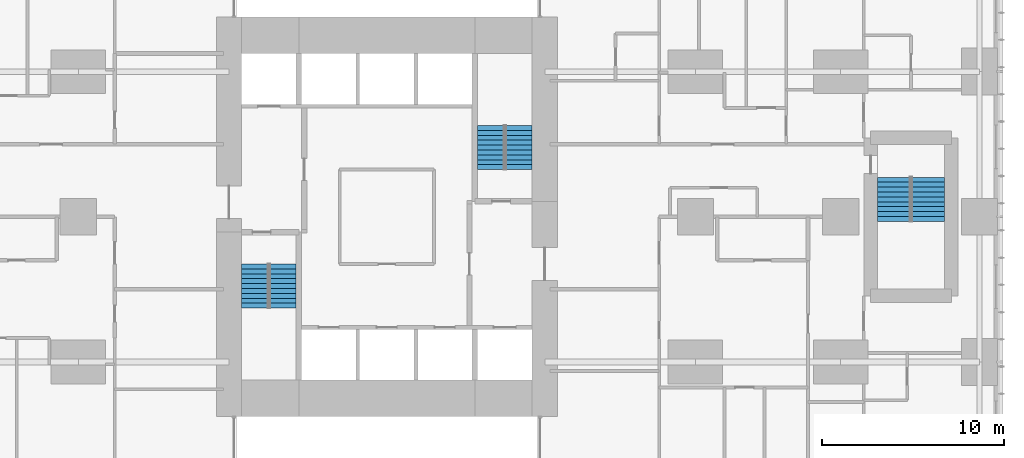
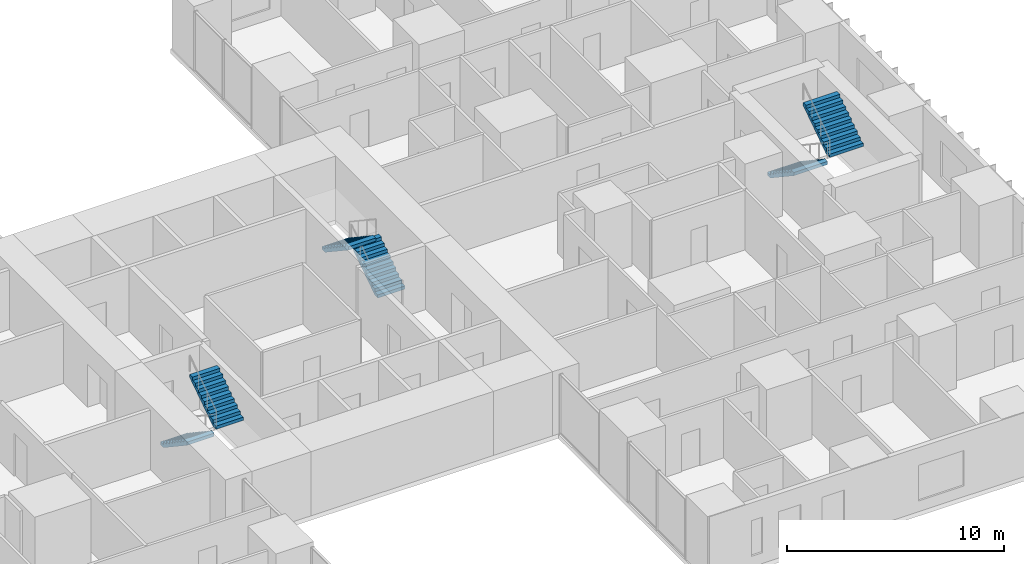
# One storey, part 19 of 20: 6 stair flights, 3 elements without a shape of their own.
"""IFC4 building model written with IfcOpenShell, lengths in metres."""

from ifc_helpers import new_model, si_unit, direction, frame, origin, place, context, subcontext, project, spatial, polyline, outline, extrude, material, type_object, element, aggregate, save


model = new_model("IFC4")

# Units and contexts
model_context = context("Model", 3, precision=1e-05, world=origin(), true_north=direction((0.0, 1.0)))
body_context = subcontext(model_context, "Body", "Model", "MODEL_VIEW")
ifc_project = project(units=[si_unit("LENGTHUNIT", "METRE"), si_unit("AREAUNIT", "SQUARE_METRE"), si_unit("VOLUMEUNIT", "CUBIC_METRE"), si_unit("PLANEANGLEUNIT", "RADIAN"), si_unit("MASSUNIT", "GRAM", prefix="KILO")], contexts=[model_context])

# Site, building, storey
site_placement = place(None, origin())
site = spatial("IfcSite", under=ifc_project, at=site_placement, CompositionType="ELEMENT")
building_placement = place(site_placement, origin())
building = spatial("IfcBuilding", under=site, at=building_placement, Name="Cleftline Residences", CompositionType="ELEMENT")
storey_placement = place(building_placement, frame((0.0, 0.0, 33.199951171875)))
storey = spatial("IfcBuildingStorey", under=building, at=storey_placement, Name="L07", CompositionType="ELEMENT", Elevation=33.199951171875)

# Stair, stair flights
ifc_material_1 = material(Name="Concrete B45, stone treads", Category="masonry")
stair_type_1 = type_object("IfcStairType", Name="STAIR A 1450 WIDE 180 RISER", PredefinedType="HALF_TURN_STAIR", material=ifc_material_1)
stair_1_placement = place(storey_placement, origin())
stair_1 = element("IfcStair", 1, at=stair_1_placement, inside=storey, type_object=stair_type_1, Name="Stair A L07", PredefinedType="HALF_TURN_STAIR")
ifc_material_2 = material(Name="Concrete B45", Category="concrete")
stair_flight_type_1 = type_object("IfcStairFlightType", Name="STAIR A FLIGHT 1450X180", PredefinedType="STRAIGHT", material=ifc_material_2)
stair_flight_1_placement = place(storey_placement, frame((25.72509765625, 21.39990234375, 0.0), z_axis=(0.0, 0.0, 1.0), x_axis=(0.0, -1.0, 0.0)))
stair_flight_1 = element("IfcStairFlight", 2, at=stair_flight_1_placement, type_object=stair_flight_type_1, Name="ST-A flight 1", NumberOfRisers=10, NumberOfTreads=9, PredefinedType="STRAIGHT", RiserHeight=0.18, TreadLength=0.27, context=body_context, shape_type="SweptSolid", body=[
    extrude(outline(polyline([(0.0, 0.0), (0.0, 0.013916015625), (0.0, 0.027587890625), (0.0, 0.04150390625), (0.0, 0.055419921875), (0.0, 0.0693359375), (0.0, 0.0830078125), (0.0, 0.096923828125), (0.0, 0.11083984375), (0.0, 0.12451171875), (0.0, 0.138427734375), (0.0, 0.15234375), (0.0, 0.166259765625), (0.0, 0.179931640625), (0.27001953125, 0.179931640625), (0.27001953125, 0.360107421875), (0.5400390625, 0.360107421875), (0.5400390625, 0.5400390625), (0.81005859375, 0.5400390625), (0.81005859375, 0.719970703125), (1.080078125, 0.719970703125), (1.080078125, 0.89990234375), (1.35009765625, 0.89990234375), (1.35009765625, 1.080078125), (1.6201171875, 1.080078125), (1.6201171875, 1.260009765625), (1.889892578125, 1.260009765625), (1.889892578125, 1.43994140625), (2.159912109375, 1.43994140625), (2.159912109375, 1.6201171875), (2.429931640625, 1.6201171875), (2.429931640625, 1.800048828125), (2.429931640625, 1.772216796875), (2.429931640625, 1.74462890625), (2.429931640625, 1.716796875), (2.429931640625, 1.689208984375), (2.429931640625, 1.661376953125), (2.429931640625, 1.6337890625), (2.429931640625, 1.60595703125), (2.429931640625, 1.578369140625), (2.429931640625, 1.550537109375), (2.429931640625, 1.52294921875), (2.429931640625, 1.495361328125), (2.429931640625, 1.467529296875), (2.429931640625, 1.43994140625), (0.270263671875, 0.0), (0.0, 0.0)])), frame((0.0, 0.72509765625, 0.0), z_axis=(0.0, -1.0, 0.0), x_axis=(1.0, 0.0, 0.0)), (0.0, 0.0, 1.0), 1.449951171875),
])
stair_flight_2_placement = place(storey_placement, frame((27.27490234375, 18.969970703125, 1.800048828125), z_axis=(0.0, 0.0, 1.0), x_axis=(0.0, 1.0, 0.0)))
stair_flight_2 = element("IfcStairFlight", 3, at=stair_flight_2_placement, type_object=stair_flight_type_1, Name="ST-A flight 2", NumberOfRisers=10, NumberOfTreads=9, PredefinedType="STRAIGHT", RiserHeight=0.18, TreadLength=0.27, context=body_context, shape_type="SweptSolid", body=[
    extrude(outline(polyline([(0.0, 0.0), (0.0, 0.013916015625), (0.0, 0.027587890625), (0.0, 0.04150390625), (0.0, 0.055419921875), (0.0, 0.0693359375), (0.0, 0.0830078125), (0.0, 0.096923828125), (0.0, 0.11083984375), (0.0, 0.12451171875), (0.0, 0.138427734375), (0.0, 0.15234375), (0.0, 0.166259765625), (0.0, 0.179931640625), (0.27001953125, 0.179931640625), (0.27001953125, 0.360107421875), (0.5400390625, 0.360107421875), (0.5400390625, 0.5400390625), (0.81005859375, 0.5400390625), (0.81005859375, 0.719970703125), (1.080078125, 0.719970703125), (1.080078125, 0.89990234375), (1.35009765625, 0.89990234375), (1.35009765625, 1.080078125), (1.6201171875, 1.080078125), (1.6201171875, 1.260009765625), (1.889892578125, 1.260009765625), (1.889892578125, 1.43994140625), (2.159912109375, 1.43994140625), (2.159912109375, 1.6201171875), (2.429931640625, 1.6201171875), (2.429931640625, 1.800048828125), (2.429931640625, 1.772216796875), (2.429931640625, 1.74462890625), (2.429931640625, 1.716796875), (2.429931640625, 1.689208984375), (2.429931640625, 1.661376953125), (2.429931640625, 1.6337890625), (2.429931640625, 1.60595703125), (2.429931640625, 1.578369140625), (2.429931640625, 1.550537109375), (2.429931640625, 1.52294921875), (2.429931640625, 1.495361328125), (2.429931640625, 1.467529296875), (2.429931640625, 1.43994140625), (0.270263671875, 0.0), (0.0, 0.0)])), frame((0.0, 0.72509765625, 0.0), z_axis=(0.0, -1.0, 0.0), x_axis=(1.0, 0.0, 0.0)), (0.0, 0.0, 1.0), 1.449951171875),
])
aggregate(stair_1, [stair_flight_1, stair_flight_2])

ifc_material_3 = material(Name="Concrete B45, stone treads", Category="masonry")
stair_type_2 = type_object("IfcStairType", Name="STAIR B 1450 WIDE 180 RISER", PredefinedType="HALF_TURN_STAIR", material=ifc_material_3)
stair_2_placement = place(storey_placement, origin())
stair_2 = element("IfcStair", 4, at=stair_2_placement, inside=storey, type_object=stair_type_2, Name="Stair B L07", PredefinedType="HALF_TURN_STAIR")
ifc_material_4 = material(Name="Concrete B45", Category="concrete")
stair_flight_type_2 = type_object("IfcStairFlightType", Name="STAIR B FLIGHT 1450X180", PredefinedType="STRAIGHT", material=ifc_material_4)
stair_flight_3_placement = place(storey_placement, frame((40.27490234375, 26.60009765625, 0.0), z_axis=(0.0, 0.0, 1.0), x_axis=(0.0, 1.0, 0.0)))
stair_flight_3 = element("IfcStairFlight", 5, at=stair_flight_3_placement, type_object=stair_flight_type_2, Name="ST-B flight 1", NumberOfRisers=10, NumberOfTreads=9, PredefinedType="STRAIGHT", RiserHeight=0.18, TreadLength=0.27, context=body_context, shape_type="SweptSolid", body=[
    extrude(outline(polyline([(0.0, 0.0), (0.0, 0.013916015625), (0.0, 0.027587890625), (0.0, 0.04150390625), (0.0, 0.055419921875), (0.0, 0.0693359375), (0.0, 0.0830078125), (0.0, 0.096923828125), (0.0, 0.11083984375), (0.0, 0.12451171875), (0.0, 0.138427734375), (0.0, 0.15234375), (0.0, 0.166259765625), (0.0, 0.179931640625), (0.27001953125, 0.179931640625), (0.27001953125, 0.360107421875), (0.5400390625, 0.360107421875), (0.5400390625, 0.5400390625), (0.81005859375, 0.5400390625), (0.81005859375, 0.719970703125), (1.080078125, 0.719970703125), (1.080078125, 0.89990234375), (1.35009765625, 0.89990234375), (1.35009765625, 1.080078125), (1.6201171875, 1.080078125), (1.6201171875, 1.260009765625), (1.889892578125, 1.260009765625), (1.889892578125, 1.43994140625), (2.159912109375, 1.43994140625), (2.159912109375, 1.6201171875), (2.429931640625, 1.6201171875), (2.429931640625, 1.800048828125), (2.429931640625, 1.772216796875), (2.429931640625, 1.74462890625), (2.429931640625, 1.716796875), (2.429931640625, 1.689208984375), (2.429931640625, 1.661376953125), (2.429931640625, 1.6337890625), (2.429931640625, 1.60595703125), (2.429931640625, 1.578369140625), (2.429931640625, 1.550537109375), (2.429931640625, 1.52294921875), (2.429931640625, 1.495361328125), (2.429931640625, 1.467529296875), (2.429931640625, 1.43994140625), (0.270263671875, 0.0), (0.0, 0.0)])), frame((0.0, 0.72509765625, 0.0), z_axis=(0.0, -1.0, 0.0), x_axis=(1.0, 0.0, 0.0)), (0.0, 0.0, 1.0), 1.449951171875),
])
stair_flight_4_placement = place(storey_placement, frame((38.72509765625, 29.030029296875, 1.800048828125), z_axis=(0.0, 0.0, 1.0), x_axis=(0.0, -1.0, 0.0)))
stair_flight_4 = element("IfcStairFlight", 6, at=stair_flight_4_placement, type_object=stair_flight_type_2, Name="ST-B flight 2", NumberOfRisers=10, NumberOfTreads=9, PredefinedType="STRAIGHT", RiserHeight=0.18, TreadLength=0.27, context=body_context, shape_type="SweptSolid", body=[
    extrude(outline(polyline([(0.0, 0.0), (0.0, 0.013916015625), (0.0, 0.027587890625), (0.0, 0.04150390625), (0.0, 0.055419921875), (0.0, 0.0693359375), (0.0, 0.0830078125), (0.0, 0.096923828125), (0.0, 0.11083984375), (0.0, 0.12451171875), (0.0, 0.138427734375), (0.0, 0.15234375), (0.0, 0.166259765625), (0.0, 0.179931640625), (0.27001953125, 0.179931640625), (0.27001953125, 0.360107421875), (0.5400390625, 0.360107421875), (0.5400390625, 0.5400390625), (0.81005859375, 0.5400390625), (0.81005859375, 0.719970703125), (1.080078125, 0.719970703125), (1.080078125, 0.89990234375), (1.35009765625, 0.89990234375), (1.35009765625, 1.080078125), (1.6201171875, 1.080078125), (1.6201171875, 1.260009765625), (1.889892578125, 1.260009765625), (1.889892578125, 1.43994140625), (2.159912109375, 1.43994140625), (2.159912109375, 1.6201171875), (2.429931640625, 1.6201171875), (2.429931640625, 1.800048828125), (2.429931640625, 1.772216796875), (2.429931640625, 1.74462890625), (2.429931640625, 1.716796875), (2.429931640625, 1.689208984375), (2.429931640625, 1.661376953125), (2.429931640625, 1.6337890625), (2.429931640625, 1.60595703125), (2.429931640625, 1.578369140625), (2.429931640625, 1.550537109375), (2.429931640625, 1.52294921875), (2.429931640625, 1.495361328125), (2.429931640625, 1.467529296875), (2.429931640625, 1.43994140625), (0.270263671875, 0.0), (0.0, 0.0)])), frame((0.0, 0.72509765625, 0.0), z_axis=(0.0, -1.0, 0.0), x_axis=(1.0, 0.0, 0.0)), (0.0, 0.0, 1.0), 1.449951171875),
])
aggregate(stair_2, [stair_flight_3, stair_flight_4])

ifc_material_5 = material(Name="Concrete B45, stone treads", Category="masonry")
stair_type_3 = type_object("IfcStairType", Name="STAIR E 1800 WIDE 180 RISER", PredefinedType="HALF_TURN_STAIR", material=ifc_material_5)
stair_3_placement = place(storey_placement, origin())
stair_3 = element("IfcStair", 7, at=stair_3_placement, inside=storey, type_object=stair_type_3, Name="Stair E L07", PredefinedType="HALF_TURN_STAIR")
ifc_material_6 = material(Name="Concrete B45", Category="concrete")
stair_flight_type_3 = type_object("IfcStairFlightType", Name="STAIR E FLIGHT 1800X180", PredefinedType="STRAIGHT", material=ifc_material_6)
stair_flight_5_placement = place(storey_placement, frame((60.925048828125, 26.175048828125, 0.0), z_axis=(0.0, 0.0, 1.0), x_axis=(0.0, -1.0, 0.0)))
stair_flight_5 = element("IfcStairFlight", 8, at=stair_flight_5_placement, type_object=stair_flight_type_3, Name="ST-E flight 1", NumberOfRisers=10, NumberOfTreads=9, PredefinedType="STRAIGHT", RiserHeight=0.18, TreadLength=0.27, context=body_context, shape_type="SweptSolid", body=[
    extrude(outline(polyline([(0.0, 0.0), (0.0, 0.013916015625), (0.0, 0.027587890625), (0.0, 0.04150390625), (0.0, 0.055419921875), (0.0, 0.0693359375), (0.0, 0.0830078125), (0.0, 0.096923828125), (0.0, 0.11083984375), (0.0, 0.12451171875), (0.0, 0.138427734375), (0.0, 0.15234375), (0.0, 0.166259765625), (0.0, 0.179931640625), (0.27001953125, 0.179931640625), (0.27001953125, 0.360107421875), (0.5400390625, 0.360107421875), (0.5400390625, 0.5400390625), (0.81005859375, 0.5400390625), (0.81005859375, 0.719970703125), (1.080078125, 0.719970703125), (1.080078125, 0.89990234375), (1.35009765625, 0.89990234375), (1.35009765625, 1.080078125), (1.6201171875, 1.080078125), (1.6201171875, 1.260009765625), (1.889892578125, 1.260009765625), (1.889892578125, 1.43994140625), (2.159912109375, 1.43994140625), (2.159912109375, 1.6201171875), (2.429931640625, 1.6201171875), (2.429931640625, 1.800048828125), (2.429931640625, 1.772216796875), (2.429931640625, 1.74462890625), (2.429931640625, 1.716796875), (2.429931640625, 1.689208984375), (2.429931640625, 1.661376953125), (2.429931640625, 1.6337890625), (2.429931640625, 1.60595703125), (2.429931640625, 1.578369140625), (2.429931640625, 1.550537109375), (2.429931640625, 1.52294921875), (2.429931640625, 1.495361328125), (2.429931640625, 1.467529296875), (2.429931640625, 1.43994140625), (0.270263671875, 0.0), (0.0, 0.0)])), frame((0.0, 0.89990234375, 0.0), z_axis=(0.0, -1.0, 0.0), x_axis=(1.0, 0.0, 0.0)), (0.0, 0.0, 1.0), 1.800048828125),
])
stair_flight_6_placement = place(storey_placement, frame((62.824951171875, 23.7451171875, 1.800048828125), z_axis=(0.0, 0.0, 1.0), x_axis=(0.0, 1.0, 0.0)))
stair_flight_6 = element("IfcStairFlight", 9, at=stair_flight_6_placement, type_object=stair_flight_type_3, Name="ST-E flight 2", NumberOfRisers=10, NumberOfTreads=9, PredefinedType="STRAIGHT", RiserHeight=0.18, TreadLength=0.27, context=body_context, shape_type="SweptSolid", body=[
    extrude(outline(polyline([(0.0, 0.0), (0.0, 0.013916015625), (0.0, 0.027587890625), (0.0, 0.04150390625), (0.0, 0.055419921875), (0.0, 0.0693359375), (0.0, 0.0830078125), (0.0, 0.096923828125), (0.0, 0.11083984375), (0.0, 0.12451171875), (0.0, 0.138427734375), (0.0, 0.15234375), (0.0, 0.166259765625), (0.0, 0.179931640625), (0.27001953125, 0.179931640625), (0.27001953125, 0.360107421875), (0.5400390625, 0.360107421875), (0.5400390625, 0.5400390625), (0.81005859375, 0.5400390625), (0.81005859375, 0.719970703125), (1.080078125, 0.719970703125), (1.080078125, 0.89990234375), (1.35009765625, 0.89990234375), (1.35009765625, 1.080078125), (1.6201171875, 1.080078125), (1.6201171875, 1.260009765625), (1.889892578125, 1.260009765625), (1.889892578125, 1.43994140625), (2.159912109375, 1.43994140625), (2.159912109375, 1.6201171875), (2.429931640625, 1.6201171875), (2.429931640625, 1.800048828125), (2.429931640625, 1.772216796875), (2.429931640625, 1.74462890625), (2.429931640625, 1.716796875), (2.429931640625, 1.689208984375), (2.429931640625, 1.661376953125), (2.429931640625, 1.6337890625), (2.429931640625, 1.60595703125), (2.429931640625, 1.578369140625), (2.429931640625, 1.550537109375), (2.429931640625, 1.52294921875), (2.429931640625, 1.495361328125), (2.429931640625, 1.467529296875), (2.429931640625, 1.43994140625), (0.270263671875, 0.0), (0.0, 0.0)])), frame((0.0, 0.89990234375, 0.0), z_axis=(0.0, -1.0, 0.0), x_axis=(1.0, 0.0, 0.0)), (0.0, 0.0, 1.0), 1.800048828125),
])
aggregate(stair_3, [stair_flight_5, stair_flight_6])

save(model, "model.ifc")
